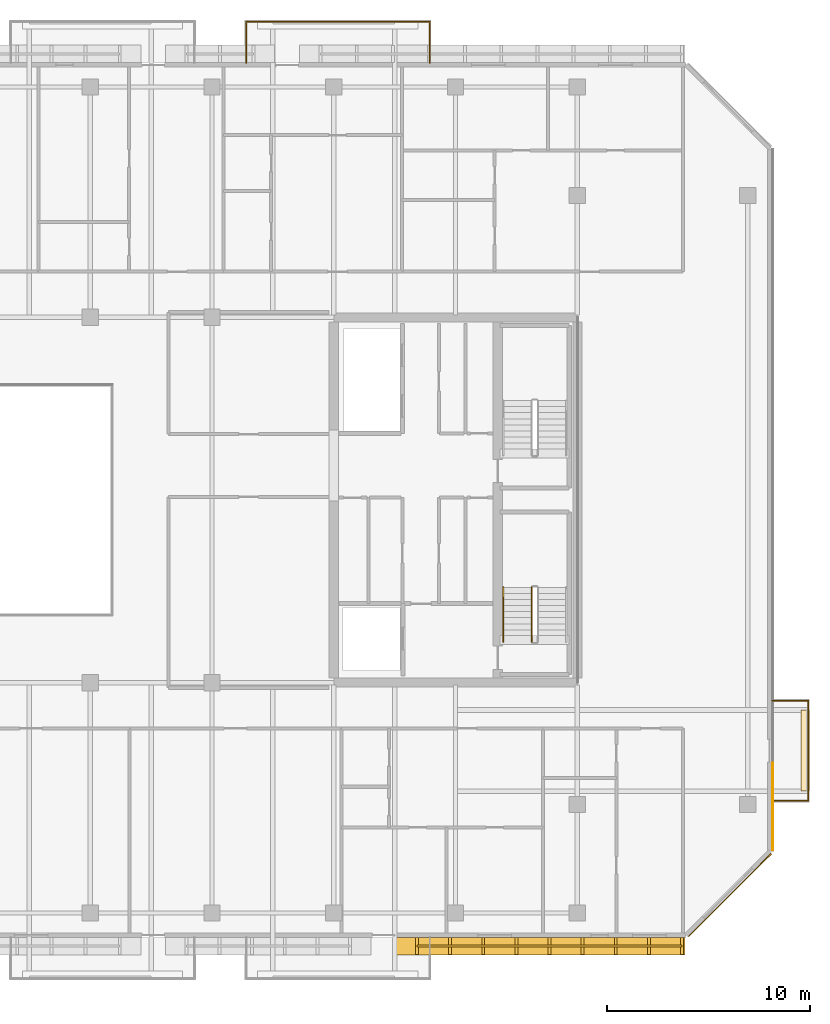
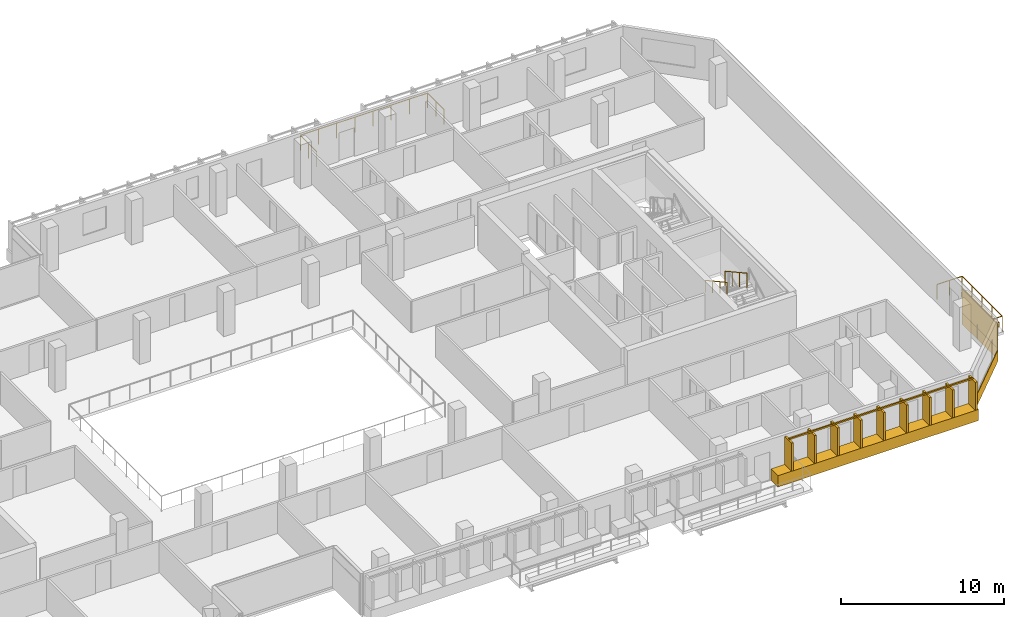
# One storey, part 20 of 22: 5 coverings, 5 railings.
"""IFC4 building model written with IfcOpenShell, lengths in metres."""

import ifcopenshell
import ifcopenshell.guid

model = None  # the IFC model being written
_history = None  # IfcOwnerHistory: only IFC2X3 demands one
_inside = {}  # id of a spatial element -> (the spatial element, [elements in it])
_under = {}  # id of a project, library or spatial element -> (it, [spatial elements below it])
_declared = {}  # id of a project -> (the project, [libraries it declares])
_typed = {}  # id of a type object -> (the type object, [elements of that type])
_made_of = {}  # id of a material, layer set ... -> (it, [elements and type objects made of it])


def new_model(schema):
    """Start an empty IFC model of exactly this schema.

    Asked for "IFC4X3", IfcOpenShell would pick the latest addendum, in which some entities
    have other attributes; the version numbers below select the first issue.
    IFC2X3 requires an IfcOwnerHistory on every rooted entity: one is made here for all.
    """
    global model, _history
    if schema == "IFC4X3":
        model = ifcopenshell.file(schema_version=(4, 3, 0, 0))
    else:
        model = ifcopenshell.file(schema=schema)
    _inside.clear()
    _under.clear()
    _declared.clear()
    _typed.clear()
    _made_of.clear()
    _history = None
    if model.schema == "IFC2X3":
        org = make("IfcOrganization", Name="unknown")
        user = make(
            "IfcPersonAndOrganization",
            ThePerson=make("IfcPerson", FamilyName="unknown"),
            TheOrganization=org,
        )
        app = make(
            "IfcApplication",
            ApplicationDeveloper=org,
            Version="unknown",
            ApplicationFullName="unknown",
            ApplicationIdentifier="unknown",
        )
        _history = make(
            "IfcOwnerHistory",
            OwningUser=user,
            OwningApplication=app,
            ChangeAction="ADDED",
            CreationDate=0,
        )
    return model


def make(cls, **values):
    """One entity of the class cls with the attributes given. An attribute that is None is left unset."""
    return model.create_entity(
        cls, **{name: value for name, value in values.items() if value is not None}
    )


def rooted(cls, **values):
    """An entity with a GlobalId (a new one), such as an element, a storey or a relation."""
    return make(cls, GlobalId=ifcopenshell.guid.new(), OwnerHistory=_history, **values)


def si_unit(unit_type, name, prefix=None):
    """IfcSIUnit, for example si_unit("LENGTHUNIT", "METRE", prefix="MILLI")."""
    return make("IfcSIUnit", UnitType=unit_type, Prefix=prefix, Name=name)


def assignment(units):
    """IfcUnitAssignment: the units of a project."""
    return None if units is None else make("IfcUnitAssignment", Units=units)


def point(xyz):
    """IfcCartesianPoint."""
    return None if xyz is None else make("IfcCartesianPoint", Coordinates=xyz)


def direction(xyz):
    """IfcDirection."""
    return None if xyz is None else make("IfcDirection", DirectionRatios=xyz)


def frame(location, z_axis=None, x_axis=None):
    """IfcAxis2Placement3D, a coordinate frame: its origin and axes. An axis left out is left unset."""
    return make(
        "IfcAxis2Placement3D",
        Location=point(location),
        Axis=direction(z_axis),
        RefDirection=direction(x_axis),
    )


def frame_2d(location, x_axis=None):
    """IfcAxis2Placement2D, a coordinate frame in the plane: its origin and x axis."""
    return make(
        "IfcAxis2Placement2D", Location=point(location), RefDirection=direction(x_axis)
    )


def origin():
    """The frame at (0, 0, 0) with its axes left unset."""
    return frame((0.0, 0.0, 0.0))


def origin_2d():
    """The frame at (0, 0) in the plane with its x axis left unset."""
    return frame_2d((0.0, 0.0))


def place(relative_to, where):
    """IfcLocalPlacement: puts the frame where relative to a parent placement (None: the world)."""
    return make(
        "IfcLocalPlacement", PlacementRelTo=relative_to, RelativePlacement=where
    )


def context(
    kind, dimensions, precision=None, world=None, true_north=None, identifier=None
):
    """IfcGeometricRepresentationContext, for example the 3D "Model" context."""
    return make(
        "IfcGeometricRepresentationContext",
        ContextIdentifier=identifier,
        ContextType=kind,
        CoordinateSpaceDimension=dimensions,
        Precision=precision,
        WorldCoordinateSystem=world,
        TrueNorth=true_north,
    )


def subcontext(parent, identifier, kind, view, scale=None):
    """IfcGeometricRepresentationSubContext, for example "Body" below "Model"."""
    return make(
        "IfcGeometricRepresentationSubContext",
        ContextIdentifier=identifier,
        ContextType=kind,
        ParentContext=parent,
        TargetScale=scale,
        TargetView=view,
    )


def project(units=None, contexts=None):
    """IfcProject with its units and contexts."""
    return rooted(
        "IfcProject",
        Name="project",
        RepresentationContexts=contexts,
        UnitsInContext=assignment(units),
    )


def spatial(cls, under=None, at=None, **own):
    """A site, building, storey or space (cls), placed at a placement, below another one or the project."""
    s = rooted(cls, ObjectPlacement=at, **own)
    if under is not None:
        _under.setdefault(under.id(), (under, []))[1].append(s)
    return s


def polyline(points):
    """IfcPolyline through the points."""
    return make("IfcPolyline", Points=[point(p) for p in points])


def profile(cls, at=None, kind="AREA", **sizes):
    """A parametric profile (cls). Its sizes go by their IFC names, for example OverallWidth=200.0."""
    return make(cls, ProfileType=kind, Position=at, **sizes)


def rectangle(**sizes):
    """IfcRectangleProfileDef."""
    return profile("IfcRectangleProfileDef", **sizes)


def outline(outer, holes=None, kind="AREA"):
    """IfcArbitraryClosedProfileDef: a profile drawn as a closed curve; with holes, ...WithVoids."""
    if holes is None:
        return make("IfcArbitraryClosedProfileDef", ProfileType=kind, OuterCurve=outer)
    return make(
        "IfcArbitraryProfileDefWithVoids",
        ProfileType=kind,
        OuterCurve=outer,
        InnerCurves=holes,
    )


def extrude(swept, where, along, depth):
    """IfcExtrudedAreaSolid: the profile swept, set in the frame where, extruded along a direction by depth."""
    return make(
        "IfcExtrudedAreaSolid",
        SweptArea=swept,
        Position=where,
        ExtrudedDirection=direction(along),
        Depth=depth,
    )


def shape(context_of_items, identifier, shape_type, items):
    """IfcShapeRepresentation: the items that make up one representation, for example the "Body"."""
    return make(
        "IfcShapeRepresentation",
        ContextOfItems=context_of_items,
        RepresentationIdentifier=identifier,
        RepresentationType=shape_type,
        Items=items,
    )


def material(Name=None, Category=None):
    """IfcMaterial."""
    return make("IfcMaterial", Name=Name, Category=Category)


def layer(
    of_material, thickness, ventilated=None, Name=None, Category=None, Priority=None
):
    """IfcMaterialLayer: one layer of a wall or slab, of a material (None: an air gap)."""
    return make(
        "IfcMaterialLayer",
        Material=of_material,
        LayerThickness=thickness,
        IsVentilated=ventilated,
        Name=Name,
        Category=Category,
        Priority=Priority,
    )


def layer_set(layers, Name=None):
    """IfcMaterialLayerSet."""
    return make("IfcMaterialLayerSet", MaterialLayers=layers, LayerSetName=Name)


def made_of(thing, what):
    """Note that an element or type object is made of a material, layer set ...; save() writes the relation."""
    if what is not None:
        _made_of.setdefault(what.id(), (what, []))[1].append(thing)
    return thing


def type_object(cls, material=None, **own):
    """A type object (cls), such as IfcWallType, which elements share."""
    return made_of(rooted(cls, **own), material)


def element(
    cls,
    number,
    at=None,
    inside=None,
    cuts=None,
    type_object=None,
    material=None,
    context=None,
    identifier="Body",
    shape_type=None,
    held_by="IfcProductDefinitionShape",
    body=None,
    shapes=None,
    **own,
):
    """One element of the class cls, such as IfcWall. Its Tag is "e" and its number.

    at: its placement. inside: the storey or other place that contains it. cuts: it is an
    opening in that element (IfcRelVoidsElement). A single representation is given by context,
    identifier, shape_type and body (its items); several are given by shapes. held_by: the class
    of the entity that holds the representations. save() writes the other relations.
    """
    e = rooted(cls, Tag="e%d" % number, ObjectPlacement=at, **own)
    if body is not None:
        shapes = [shape(context, identifier, shape_type, body)]
    if shapes is not None:
        e.Representation = make(held_by, Representations=shapes)
    if inside is not None:
        _inside.setdefault(inside.id(), (inside, []))[1].append(e)
    if cuts is not None:
        rooted(
            "IfcRelVoidsElement", RelatingBuildingElement=cuts, RelatedOpeningElement=e
        )
    if type_object is not None:
        _typed.setdefault(type_object.id(), (type_object, []))[1].append(e)
    return made_of(e, material)


def aggregate(whole, parts):
    """IfcRelAggregates: a whole, such as a stair, and the parts it consists of."""
    return rooted("IfcRelAggregates", RelatingObject=whole, RelatedObjects=parts)


def save(model, path):
    """Write the relations noted so far, then the file.

    IfcRelAggregates (storeys below a building ...), IfcRelContainedInSpatialStructure (elements
    in a storey), IfcRelDefinesByType, IfcRelAssociatesMaterial and IfcRelDeclares: one each for
    every whole, place, type object, material and project.
    """
    for whole, parts in _under.values():
        aggregate(whole, parts)
    for where, things in _inside.values():
        rooted(
            "IfcRelContainedInSpatialStructure",
            RelatedElements=things,
            RelatingStructure=where,
        )
    for kind, things in _typed.values():
        rooted("IfcRelDefinesByType", RelatedObjects=things, RelatingType=kind)
    for what, things in _made_of.values():
        rooted("IfcRelAssociatesMaterial", RelatedObjects=things, RelatingMaterial=what)
    for by, libraries in _declared.values():
        rooted("IfcRelDeclares", RelatingContext=by, RelatedDefinitions=libraries)
    model.write(path)


model = new_model("IFC4")

# Units and contexts
model_context = context("Model", 3, precision=1e-05, world=origin(), true_north=direction((0.0, 1.0)))
body_context = subcontext(model_context, "Body", "Model", "MODEL_VIEW")
ifc_project = project(units=[si_unit("LENGTHUNIT", "METRE"), si_unit("AREAUNIT", "SQUARE_METRE"), si_unit("VOLUMEUNIT", "CUBIC_METRE"), si_unit("PLANEANGLEUNIT", "RADIAN"), si_unit("MASSUNIT", "GRAM", prefix="KILO")], contexts=[model_context])

# Site, building, storey
site_placement = place(None, origin())
site = spatial("IfcSite", under=ifc_project, at=site_placement, CompositionType="ELEMENT")
building_placement = place(site_placement, origin())
building = spatial("IfcBuilding", under=site, at=building_placement, Name="Tanjung Sevakor Pilgrim Tower", CompositionType="ELEMENT")
storey_placement = place(building_placement, frame((0.0, 0.0, 195.030029296875)))
storey = spatial("IfcBuildingStorey", under=building, at=storey_placement, Name="L54", CompositionType="ELEMENT", Elevation=195.030029296875)

# Coverings
ifc_material_1 = material(Name="Reconstructed Limestone Cladding", Category="masonry")
ifc_layer_1 = layer(ifc_material_1, 0.044921875)
ifc_layer_set_1 = layer_set([ifc_layer_1], Name="COV-CLAD-LIMESTONE")
covering_type_1 = type_object("IfcCoveringType", Name="COV-CLAD-LIMESTONE", PredefinedType="CLADDING", material=ifc_layer_set_1)
covering_1_placement = place(storey_placement, frame((88.187255859375, 11.6201171875, 0.009765625), z_axis=(0.0, 0.0, 1.0), x_axis=(1.0, 0.0, 0.0)))
element("IfcCovering", 1, at=covering_1_placement, inside=storey, type_object=covering_type_1, Name="L54 Warm Limestone Sill Spandrel EW-L54-MAIN-5-3", PredefinedType="CLADDING", context=body_context, shape_type="SweptSolid", body=[
    extrude(rectangle(XDim=14.25439453125, YDim=0.860107421875, at=origin_2d()), origin(), (0.0, 0.0, 1.0), 0.840087890625),
])
covering_2_placement = place(storey_placement, frame((97.515869140625, 14.134033203125, 0.009765625), z_axis=(0.0, 0.0, 1.0), x_axis=(0.707106781187, 0.707106781187, 0.0)))
element("IfcCovering", 2, at=covering_2_placement, inside=storey, type_object=covering_type_1, Name="L54 Warm Limestone Sill Spandrel EW-CHM-L54-MAIN-5-1", PredefinedType="CLADDING", context=body_context, shape_type="SweptSolid", body=[
    extrude(rectangle(XDim=5.7685546875, YDim=0.044921875, at=origin_2d()), origin(), (0.0, 0.0, 1.0), 0.840087890625),
])
covering_3_placement = place(storey_placement, frame((99.62255859375, 18.48779296875, 0.009765625), z_axis=(0.0, 0.0, 1.0), x_axis=(0.0, 1.0, 0.0)))
element("IfcCovering", 3, at=covering_3_placement, inside=storey, type_object=covering_type_1, Name="L54 Warm Limestone Sill Spandrel EW-L54-MAIN-7-1", PredefinedType="CLADDING", context=body_context, shape_type="SweptSolid", body=[
    extrude(rectangle(XDim=4.304443359375, YDim=0.044921875, at=origin_2d()), origin(), (0.0, 0.0, 1.0), 0.840087890625),
])
covering_4_placement = place(storey_placement, frame((99.62255859375, 18.492919921875, 0.849853515625), z_axis=(0.0, 0.0, 1.0), x_axis=(0.0, 1.0, 0.0)))
element("IfcCovering", 4, at=covering_4_placement, inside=storey, type_object=covering_type_1, Name="L54 Warm Limestone Pier Panel EW-L54-MAIN-7-1", PredefinedType="CLADDING", context=body_context, shape_type="SweptSolid", body=[
    extrude(rectangle(XDim=4.314453125, YDim=0.044921875, at=origin_2d()), origin(), (0.0, 0.0, 1.0), 1.81005859375),
])
ifc_material_2 = material(Name="Vegetated Modular Planter Assembly", Category="organic")
ifc_layer_2 = layer(ifc_material_2, 0.35009765625)
ifc_layer_set_2 = layer_set([ifc_layer_2], Name="COV-GRN-TROUGH")
covering_type_2 = type_object("IfcCoveringType", Name="COV-GRN-TROUGH", PredefinedType="CLADDING", material=ifc_layer_set_2)
covering_5_placement = place(storey_placement, origin())
element("IfcCovering", 5, at=covering_5_placement, inside=storey, type_object=covering_type_2, Name="L54 Planted Landscape Hedge Trough BGRN-L54-MAIN-E1", PredefinedType="CLADDING", context=body_context, shape_type="SweptSolid", body=[
    extrude(outline(polyline([(101.449951171875, 19.25), (101.449951171875, 23.25), (101.010009765625, 23.25), (101.010009765625, 19.25), (101.449951171875, 19.25)])), origin(), (0.0, 0.0, 1.0), 0.349853515625),
])

# Railings
ifc_material_3 = material(Name="Laminated Glass and Aluminium", Category="aluminium")
railing_type_1 = type_object("IfcRailingType", Name="RL-BAL-BALUST", PredefinedType="BALUSTRADE", material=ifc_material_3)
railing_1_placement = place(storey_placement, frame((73.679931640625, 55.14990234375, 0.0)))
element("IfcRailing", 6, at=railing_1_placement, inside=storey, type_object=railing_type_1, Name="L54 Loggia Balustrade MAIN-N3", PredefinedType="BALUSTRADE", context=body_context, shape_type="SweptSolid", body=[
    extrude(rectangle(XDim=0.0479, YDim=0.0479), frame((0.0, 0.0, 1.1259765625), z_axis=(0.0, 1.0, 0.0), x_axis=(-1.0, 0.0, 0.0)), (0.0, 0.0, 1.0), 2.02001953125),
    extrude(rectangle(XDim=0.0479, YDim=0.0479), frame((0.0, 2.02001953125, 1.1259765625), z_axis=(1.0, 0.0, 0.0), x_axis=(0.0, 1.0, 0.0)), (0.0, 0.0, 1.0), 9.0400390625),
    extrude(rectangle(XDim=0.0479, YDim=0.0479), frame((9.0400390625, 2.02001953125, 1.1259765625), z_axis=(0.0, -1.0, 0.0), x_axis=(1.0, 0.0, 0.0)), (0.0, 0.0, 1.0), 2.02001953125),
    extrude(rectangle(XDim=0.042, YDim=0.042), origin(), (0.0, 0.0, 1.0), 1.101806640625),
    extrude(rectangle(XDim=0.042, YDim=0.042), frame((0.0, 1.010009765625, 0.0)), (0.0, 0.0, 1.0), 1.101806640625),
    extrude(rectangle(XDim=0.042, YDim=0.042), frame((0.0, 2.02001953125, 0.0)), (0.0, 0.0, 1.0), 1.101806640625),
    extrude(rectangle(XDim=0.042, YDim=0.042), frame((1.29150390625, 2.02001953125, 0.0)), (0.0, 0.0, 1.0), 1.101806640625),
    extrude(rectangle(XDim=0.042, YDim=0.042), frame((2.582763671875, 2.02001953125, 0.0)), (0.0, 0.0, 1.0), 1.101806640625),
    extrude(rectangle(XDim=0.042, YDim=0.042), frame((3.874267578125, 2.02001953125, 0.0)), (0.0, 0.0, 1.0), 1.101806640625),
    extrude(rectangle(XDim=0.042, YDim=0.042), frame((5.165771484375, 2.02001953125, 0.0)), (0.0, 0.0, 1.0), 1.101806640625),
    extrude(rectangle(XDim=0.042, YDim=0.042), frame((6.457275390625, 2.02001953125, 0.0)), (0.0, 0.0, 1.0), 1.101806640625),
    extrude(rectangle(XDim=0.042, YDim=0.042), frame((7.74853515625, 2.02001953125, 0.0)), (0.0, 0.0, 1.0), 1.101806640625),
    extrude(rectangle(XDim=0.042, YDim=0.042), frame((9.0400390625, 2.02001953125, 0.0)), (0.0, 0.0, 1.0), 1.101806640625),
    extrude(rectangle(XDim=0.042, YDim=0.042), frame((9.0400390625, 1.010009765625, 0.0)), (0.0, 0.0, 1.0), 1.101806640625),
    extrude(rectangle(XDim=0.042, YDim=0.042), frame((9.0400390625, 0.0, 0.0)), (0.0, 0.0, 1.0), 1.101806640625),
])
railing_2_placement = place(storey_placement, frame((99.60009765625, 18.780029296875, 0.0)))
element("IfcRailing", 7, at=railing_2_placement, inside=storey, type_object=railing_type_1, Name="L54 Loggia Balustrade MAIN-E1", PredefinedType="BALUSTRADE", context=body_context, shape_type="SweptSolid", body=[
    extrude(rectangle(XDim=0.0479, YDim=0.0479), frame((0.0, 0.0, 1.1259765625), z_axis=(1.0, 0.0, 0.0), x_axis=(0.0, 1.0, 0.0)), (0.0, 0.0, 1.0), 1.77001953125),
    extrude(rectangle(XDim=0.0479, YDim=0.0479), frame((1.77001953125, 0.0, 1.1259765625), z_axis=(0.0, 1.0, 0.0), x_axis=(-1.0, 0.0, 0.0)), (0.0, 0.0, 1.0), 4.93994140625),
    extrude(rectangle(XDim=0.0479, YDim=0.0479), frame((1.77001953125, 4.93994140625, 1.1259765625), z_axis=(-1.0, 0.0, 0.0), x_axis=(0.0, -1.0, 0.0)), (0.0, 0.0, 1.0), 1.77001953125),
    extrude(rectangle(XDim=0.042, YDim=0.042), origin(), (0.0, 0.0, 1.0), 1.101806640625),
    extrude(rectangle(XDim=0.042, YDim=0.042), frame((0.885009765625, 0.0, 0.0)), (0.0, 0.0, 1.0), 1.101806640625),
    extrude(rectangle(XDim=0.042, YDim=0.042), frame((1.77001953125, 0.0, 0.0)), (0.0, 0.0, 1.0), 1.101806640625),
    extrude(rectangle(XDim=0.042, YDim=0.042), frame((1.77001953125, 1.23486328125, 0.0)), (0.0, 0.0, 1.0), 1.101806640625),
    extrude(rectangle(XDim=0.042, YDim=0.042), frame((1.77001953125, 2.469970703125, 0.0)), (0.0, 0.0, 1.0), 1.101806640625),
    extrude(rectangle(XDim=0.042, YDim=0.042), frame((1.77001953125, 3.705078125, 0.0)), (0.0, 0.0, 1.0), 1.101806640625),
    extrude(rectangle(XDim=0.042, YDim=0.042), frame((1.77001953125, 4.93994140625, 0.0)), (0.0, 0.0, 1.0), 1.101806640625),
    extrude(rectangle(XDim=0.042, YDim=0.042), frame((0.885009765625, 4.93994140625, 0.0)), (0.0, 0.0, 1.0), 1.101806640625),
    extrude(rectangle(XDim=0.042, YDim=0.042), frame((0.0, 4.93994140625, 0.0)), (0.0, 0.0, 1.0), 1.101806640625),
])
ifc_material_4 = material(Name="Anodised Bronze Aluminium 6063-T6", Category="aluminium")
railing_type_2 = type_object("IfcRailingType", Name="RL-FIN-SCREEN", PredefinedType="BALUSTRADE", material=ifc_material_4)
railing_3_placement = place(storey_placement, frame((82.10009765625, 11.625, 0.840087890625)))
element("IfcRailing", 8, at=railing_3_placement, inside=storey, type_object=railing_type_2, Name="L54 Vertical Bronze-Gold Solar Fin Screen FNSCR-EW-L54-MAIN-5-3", PredefinedType="BALUSTRADE", context=body_context, shape_type="SweptSolid", body=[
    extrude(rectangle(XDim=0.105, YDim=0.105), frame((0.0, 0.0, 2.157470703125), z_axis=(1.0, 0.0, 0.0), x_axis=(0.0, 1.0, 0.0)), (0.0, 0.0, 1.0), 13.05419921875),
    extrude(rectangle(XDim=0.14, YDim=0.85), origin(), (0.0, 0.0, 1.0), 2.10498046875),
    extrude(rectangle(XDim=0.14, YDim=0.85), frame((1.6318359375, 0.0, 0.0)), (0.0, 0.0, 1.0), 2.10498046875),
    extrude(rectangle(XDim=0.14, YDim=0.85), frame((3.263671875, 0.0, 0.0)), (0.0, 0.0, 1.0), 2.10498046875),
    extrude(rectangle(XDim=0.14, YDim=0.85), frame((4.895263671875, 0.0, 0.0)), (0.0, 0.0, 1.0), 2.10498046875),
    extrude(rectangle(XDim=0.14, YDim=0.85), frame((6.527099609375, 0.0, 0.0)), (0.0, 0.0, 1.0), 2.10498046875),
    extrude(rectangle(XDim=0.14, YDim=0.85), frame((8.158935546875, 0.0, 0.0)), (0.0, 0.0, 1.0), 2.10498046875),
    extrude(rectangle(XDim=0.14, YDim=0.85), frame((9.79052734375, 0.0, 0.0)), (0.0, 0.0, 1.0), 2.10498046875),
    extrude(rectangle(XDim=0.14, YDim=0.85), frame((11.42236328125, 0.0, 0.0)), (0.0, 0.0, 1.0), 2.10498046875),
    extrude(rectangle(XDim=0.14, YDim=0.85), frame((13.05419921875, 0.0, 0.0)), (0.0, 0.0, 1.0), 2.10498046875),
])
ifc_material_5 = material(Name="Steel S355J2", Category="steel")
railing_type_3 = type_object("IfcRailingType", Name="RL-STAIR-GUARD", PredefinedType="GUARDRAIL", material=ifc_material_5)
railing_4_placement = place(storey_placement, frame((87.75, 29.300048828125, 1.81494140625)))
element("IfcRailing", 9, at=railing_4_placement, inside=storey, type_object=railing_type_3, Name="L54 TS-E1 stair guard 3", PredefinedType="GUARDRAIL", context=body_context, shape_type="SweptSolid", body=[
    extrude(rectangle(XDim=0.0479, YDim=0.0479), frame((0.0, 0.0, 1.076171875), z_axis=(0.0, -0.876197507361, 0.481952205197), x_axis=(1.0, 0.0, 0.0)), (0.0, 0.0, 1.0), 3.08154296875),
    extrude(rectangle(XDim=0.042, YDim=0.042), origin(), (0.0, 0.0, 1.0), 1.052001953125),
    extrude(rectangle(XDim=0.042, YDim=0.042), frame((0.0, -0.89990234375, 0.4951171875)), (0.0, 0.0, 1.0), 1.052001953125),
    extrude(rectangle(XDim=0.042, YDim=0.042), frame((0.0, -1.800048828125, 0.989990234375)), (0.0, 0.0, 1.0), 1.052001953125),
    extrude(rectangle(XDim=0.042, YDim=0.042), frame((0.0, -2.699951171875, 1.485107421875)), (0.0, 0.0, 1.0), 1.052001953125),
])
ifc_material_6 = material(Name="Steel S355J2", Category="steel")
railing_type_4 = type_object("IfcRailingType", Name="RL-STAIR-HAND", PredefinedType="HANDRAIL", material=ifc_material_6)
railing_5_placement = place(storey_placement, frame((86.35009765625, 29.300048828125, 1.81494140625)))
element("IfcRailing", 10, at=railing_5_placement, inside=storey, type_object=railing_type_4, Name="L54 TS-E1 stair handrail 2", PredefinedType="HANDRAIL", context=body_context, shape_type="SweptSolid", body=[
    extrude(rectangle(XDim=0.0479, YDim=0.0479), frame((0.0, 0.0, 0.8759765625), z_axis=(0.0, -0.876197507361, 0.481952205197), x_axis=(1.0, 0.0, 0.0)), (0.0, 0.0, 1.0), 3.08154296875),
    extrude(rectangle(XDim=0.042, YDim=0.042), origin(), (0.0, 0.0, 1.0), 0.851806640625),
    extrude(rectangle(XDim=0.042, YDim=0.042), frame((0.0, -0.89990234375, 0.4951171875)), (0.0, 0.0, 1.0), 0.851806640625),
    extrude(rectangle(XDim=0.042, YDim=0.042), frame((0.0, -1.800048828125, 0.989990234375)), (0.0, 0.0, 1.0), 0.851806640625),
    extrude(rectangle(XDim=0.042, YDim=0.042), frame((0.0, -2.699951171875, 1.485107421875)), (0.0, 0.0, 1.0), 0.851806640625),
])

save(model, "model.ifc")
